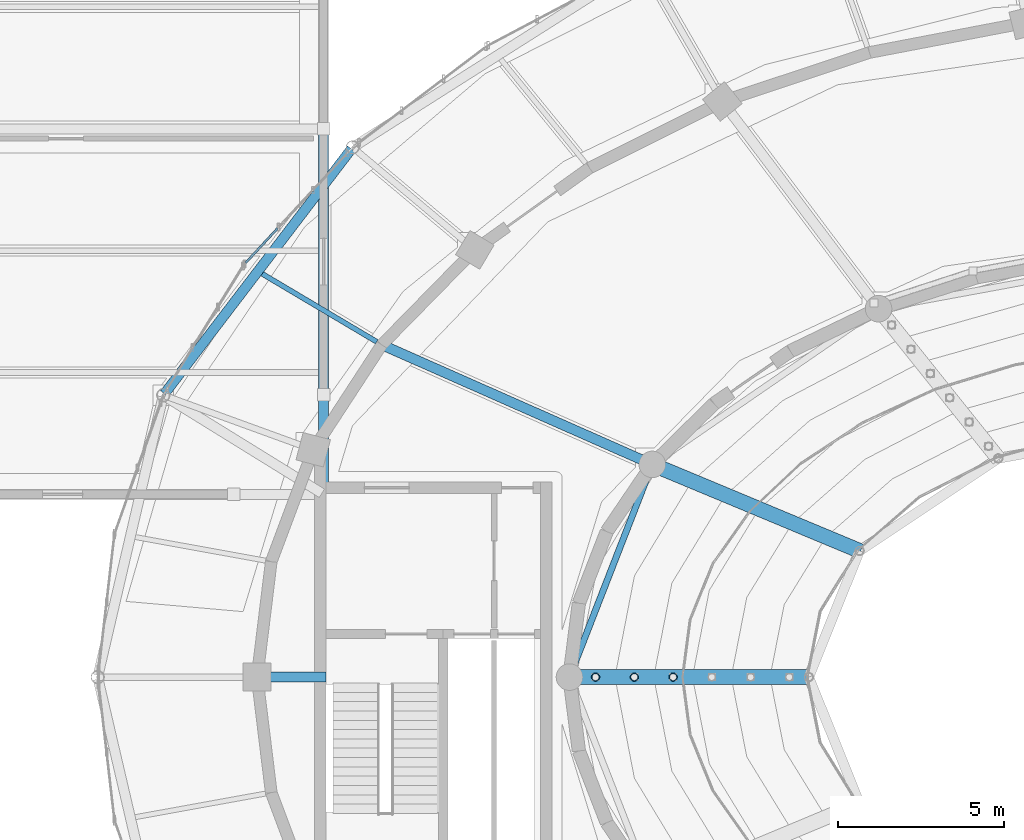
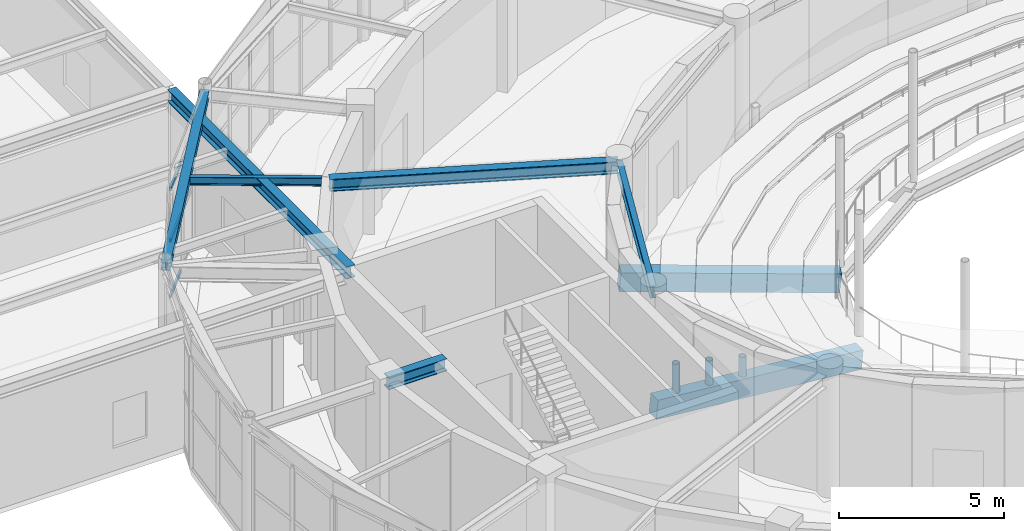
# One storey, part 30 of 100: 8 beams, 6 members, 1 element without a shape of its own.
"""IFC4 building model written with IfcOpenShell, lengths in metres."""

import ifcopenshell
import ifcopenshell.guid

model = None  # the IFC model being written
_history = None  # IfcOwnerHistory: only IFC2X3 demands one
_inside = {}  # id of a spatial element -> (the spatial element, [elements in it])
_under = {}  # id of a project, library or spatial element -> (it, [spatial elements below it])
_declared = {}  # id of a project -> (the project, [libraries it declares])
_typed = {}  # id of a type object -> (the type object, [elements of that type])
_made_of = {}  # id of a material, layer set ... -> (it, [elements and type objects made of it])


def new_model(schema):
    """Start an empty IFC model of exactly this schema.

    Asked for "IFC4X3", IfcOpenShell would pick the latest addendum, in which some entities
    have other attributes; the version numbers below select the first issue.
    IFC2X3 requires an IfcOwnerHistory on every rooted entity: one is made here for all.
    """
    global model, _history
    if schema == "IFC4X3":
        model = ifcopenshell.file(schema_version=(4, 3, 0, 0))
    else:
        model = ifcopenshell.file(schema=schema)
    _inside.clear()
    _under.clear()
    _declared.clear()
    _typed.clear()
    _made_of.clear()
    _history = None
    if model.schema == "IFC2X3":
        org = make("IfcOrganization", Name="unknown")
        user = make(
            "IfcPersonAndOrganization",
            ThePerson=make("IfcPerson", FamilyName="unknown"),
            TheOrganization=org,
        )
        app = make(
            "IfcApplication",
            ApplicationDeveloper=org,
            Version="unknown",
            ApplicationFullName="unknown",
            ApplicationIdentifier="unknown",
        )
        _history = make(
            "IfcOwnerHistory",
            OwningUser=user,
            OwningApplication=app,
            ChangeAction="ADDED",
            CreationDate=0,
        )
    return model


def make(cls, **values):
    """One entity of the class cls with the attributes given. An attribute that is None is left unset."""
    return model.create_entity(
        cls, **{name: value for name, value in values.items() if value is not None}
    )


def rooted(cls, **values):
    """An entity with a GlobalId (a new one), such as an element, a storey or a relation."""
    return make(cls, GlobalId=ifcopenshell.guid.new(), OwnerHistory=_history, **values)


def si_unit(unit_type, name, prefix=None):
    """IfcSIUnit, for example si_unit("LENGTHUNIT", "METRE", prefix="MILLI")."""
    return make("IfcSIUnit", UnitType=unit_type, Prefix=prefix, Name=name)


def assignment(units):
    """IfcUnitAssignment: the units of a project."""
    return None if units is None else make("IfcUnitAssignment", Units=units)


def point(xyz):
    """IfcCartesianPoint."""
    return None if xyz is None else make("IfcCartesianPoint", Coordinates=xyz)


def direction(xyz):
    """IfcDirection."""
    return None if xyz is None else make("IfcDirection", DirectionRatios=xyz)


def frame(location, z_axis=None, x_axis=None):
    """IfcAxis2Placement3D, a coordinate frame: its origin and axes. An axis left out is left unset."""
    return make(
        "IfcAxis2Placement3D",
        Location=point(location),
        Axis=direction(z_axis),
        RefDirection=direction(x_axis),
    )


def frame_2d(location, x_axis=None):
    """IfcAxis2Placement2D, a coordinate frame in the plane: its origin and x axis."""
    return make(
        "IfcAxis2Placement2D", Location=point(location), RefDirection=direction(x_axis)
    )


def origin():
    """The frame at (0, 0, 0) with its axes left unset."""
    return frame((0.0, 0.0, 0.0))


def origin_2d():
    """The frame at (0, 0) in the plane with its x axis left unset."""
    return frame_2d((0.0, 0.0))


def place(relative_to, where):
    """IfcLocalPlacement: puts the frame where relative to a parent placement (None: the world)."""
    return make(
        "IfcLocalPlacement", PlacementRelTo=relative_to, RelativePlacement=where
    )


def context(
    kind, dimensions, precision=None, world=None, true_north=None, identifier=None
):
    """IfcGeometricRepresentationContext, for example the 3D "Model" context."""
    return make(
        "IfcGeometricRepresentationContext",
        ContextIdentifier=identifier,
        ContextType=kind,
        CoordinateSpaceDimension=dimensions,
        Precision=precision,
        WorldCoordinateSystem=world,
        TrueNorth=true_north,
    )


def subcontext(parent, identifier, kind, view, scale=None):
    """IfcGeometricRepresentationSubContext, for example "Body" below "Model"."""
    return make(
        "IfcGeometricRepresentationSubContext",
        ContextIdentifier=identifier,
        ContextType=kind,
        ParentContext=parent,
        TargetScale=scale,
        TargetView=view,
    )


def project(units=None, contexts=None):
    """IfcProject with its units and contexts."""
    return rooted(
        "IfcProject",
        Name="project",
        RepresentationContexts=contexts,
        UnitsInContext=assignment(units),
    )


def spatial(cls, under=None, at=None, **own):
    """A site, building, storey or space (cls), placed at a placement, below another one or the project."""
    s = rooted(cls, ObjectPlacement=at, **own)
    if under is not None:
        _under.setdefault(under.id(), (under, []))[1].append(s)
    return s


def profile(cls, at=None, kind="AREA", **sizes):
    """A parametric profile (cls). Its sizes go by their IFC names, for example OverallWidth=200.0."""
    return make(cls, ProfileType=kind, Position=at, **sizes)


def rectangle(**sizes):
    """IfcRectangleProfileDef."""
    return profile("IfcRectangleProfileDef", **sizes)


def hollow_rectangle(**sizes):
    """IfcRectangleHollowProfileDef."""
    return profile("IfcRectangleHollowProfileDef", **sizes)


def hollow_circle(**sizes):
    """IfcCircleHollowProfileDef."""
    return profile("IfcCircleHollowProfileDef", **sizes)


def i_section(**sizes):
    """IfcIShapeProfileDef."""
    return profile("IfcIShapeProfileDef", **sizes)


def extrude(swept, where, along, depth):
    """IfcExtrudedAreaSolid: the profile swept, set in the frame where, extruded along a direction by depth."""
    return make(
        "IfcExtrudedAreaSolid",
        SweptArea=swept,
        Position=where,
        ExtrudedDirection=direction(along),
        Depth=depth,
    )


def shape(context_of_items, identifier, shape_type, items):
    """IfcShapeRepresentation: the items that make up one representation, for example the "Body"."""
    return make(
        "IfcShapeRepresentation",
        ContextOfItems=context_of_items,
        RepresentationIdentifier=identifier,
        RepresentationType=shape_type,
        Items=items,
    )


def material(Name=None, Category=None):
    """IfcMaterial."""
    return make("IfcMaterial", Name=Name, Category=Category)


def material_profile(
    of_material, cross_section, Name=None, Category=None, Priority=None
):
    """IfcMaterialProfile: a cross section and its material."""
    return make(
        "IfcMaterialProfile",
        Name=Name,
        Material=of_material,
        Profile=cross_section,
        Priority=Priority,
        Category=Category,
    )


def profile_set(profiles, Name=None, composite=None):
    """IfcMaterialProfileSet."""
    return make(
        "IfcMaterialProfileSet",
        Name=Name,
        MaterialProfiles=profiles,
        CompositeProfile=composite,
    )


def made_of(thing, what):
    """Note that an element or type object is made of a material, layer set ...; save() writes the relation."""
    if what is not None:
        _made_of.setdefault(what.id(), (what, []))[1].append(thing)
    return thing


def type_object(cls, material=None, **own):
    """A type object (cls), such as IfcWallType, which elements share."""
    return made_of(rooted(cls, **own), material)


def element(
    cls,
    number,
    at=None,
    inside=None,
    cuts=None,
    type_object=None,
    material=None,
    context=None,
    identifier="Body",
    shape_type=None,
    held_by="IfcProductDefinitionShape",
    body=None,
    shapes=None,
    **own,
):
    """One element of the class cls, such as IfcWall. Its Tag is "e" and its number.

    at: its placement. inside: the storey or other place that contains it. cuts: it is an
    opening in that element (IfcRelVoidsElement). A single representation is given by context,
    identifier, shape_type and body (its items); several are given by shapes. held_by: the class
    of the entity that holds the representations. save() writes the other relations.
    """
    e = rooted(cls, Tag="e%d" % number, ObjectPlacement=at, **own)
    if body is not None:
        shapes = [shape(context, identifier, shape_type, body)]
    if shapes is not None:
        e.Representation = make(held_by, Representations=shapes)
    if inside is not None:
        _inside.setdefault(inside.id(), (inside, []))[1].append(e)
    if cuts is not None:
        rooted(
            "IfcRelVoidsElement", RelatingBuildingElement=cuts, RelatedOpeningElement=e
        )
    if type_object is not None:
        _typed.setdefault(type_object.id(), (type_object, []))[1].append(e)
    return made_of(e, material)


def aggregate(whole, parts):
    """IfcRelAggregates: a whole, such as a stair, and the parts it consists of."""
    return rooted("IfcRelAggregates", RelatingObject=whole, RelatedObjects=parts)


def save(model, path):
    """Write the relations noted so far, then the file.

    IfcRelAggregates (storeys below a building ...), IfcRelContainedInSpatialStructure (elements
    in a storey), IfcRelDefinesByType, IfcRelAssociatesMaterial and IfcRelDeclares: one each for
    every whole, place, type object, material and project.
    """
    for whole, parts in _under.values():
        aggregate(whole, parts)
    for where, things in _inside.values():
        rooted(
            "IfcRelContainedInSpatialStructure",
            RelatedElements=things,
            RelatingStructure=where,
        )
    for kind, things in _typed.values():
        rooted("IfcRelDefinesByType", RelatedObjects=things, RelatingType=kind)
    for what, things in _made_of.values():
        rooted("IfcRelAssociatesMaterial", RelatedObjects=things, RelatingMaterial=what)
    for by, libraries in _declared.values():
        rooted("IfcRelDeclares", RelatingContext=by, RelatedDefinitions=libraries)
    model.write(path)


model = new_model("IFC4")

# Units and contexts
model_context = context("Model", 3, precision=1e-05, world=origin(), true_north=direction((0.0, 1.0)))
body_context = subcontext(model_context, "Body", "Model", "MODEL_VIEW")
ifc_project = project(units=[si_unit("LENGTHUNIT", "METRE"), si_unit("AREAUNIT", "SQUARE_METRE"), si_unit("VOLUMEUNIT", "CUBIC_METRE"), si_unit("PLANEANGLEUNIT", "RADIAN"), si_unit("MASSUNIT", "GRAM", prefix="KILO")], contexts=[model_context])

# Site, building, storey
site_placement = place(None, origin())
site = spatial("IfcSite", under=ifc_project, at=site_placement, CompositionType="ELEMENT")
building_placement = place(site_placement, origin())
building = spatial("IfcBuilding", under=site, at=building_placement, Name="Tarnveldt Headland Concert Hall", CompositionType="ELEMENT")
storey_placement = place(building_placement, frame((0.0, 0.0, 4.800048828125)))
storey = spatial("IfcBuildingStorey", under=building, at=storey_placement, Name="L01", CompositionType="ELEMENT", Elevation=4.800048828125)

# Beams
ifc_material_1 = material(Name="Concrete C40/50", Category="concrete")
ifc_material_profile_1 = material_profile(ifc_material_1, rectangle(XDim=0.449951171875, YDim=0.699951171875, at=origin_2d()), Name="RAKER RC 450x700", Category="concrete")
ifc_profile_set_1 = profile_set([ifc_material_profile_1], Name="Concrete C40/50")
beam_type_1 = type_object("IfcBeamType", Name="RK-450x700", PredefinedType="BEAM", material=ifc_profile_set_1)
beam_1_placement = place(storey_placement, frame((67.391845703125, 60.89990234375, 0.119873046875), z_axis=(0.918674552277, -0.383044843665, -0.096507589027), x_axis=(0.384841186622, 0.922982806492, 0.0)))
element("IfcBeam", 1, at=beam_1_placement, inside=storey, type_object=beam_type_1, Name="Stand RAKER beam L01-6", PredefinedType="BEAM", context=body_context, shape_type="SweptSolid", body=[
    extrude(rectangle(XDim=0.449951171875, YDim=0.699951171875, at=origin_2d()), origin(), (0.0, 0.0, 1.0), 6.787353515625),
])
beam_2_placement = place(storey_placement, frame((64.89990234375, 54.5, 0.119873046875), z_axis=(0.995887391882, 0.0, -0.090599683725), x_axis=(0.0, 1.0, 0.0)))
element("IfcBeam", 2, at=beam_2_placement, inside=storey, type_object=beam_type_1, Name="Stand RAKER beam L01-7", PredefinedType="BEAM", context=body_context, shape_type="SweptSolid", body=[
    extrude(rectangle(XDim=0.449951171875, YDim=0.699951171875, at=origin_2d()), origin(), (0.0, 0.0, 1.0), 7.22998046875),
])
ifc_material_2 = material(Name="Steel S355", Category="steel")
ifc_material_profile_2 = material_profile(ifc_material_2, i_section(OverallWidth=0.300048828125, OverallDepth=0.2900390625, WebThickness=0.008544921875, FlangeThickness=0.013916015625, FilletRadius=0.027099609375, at=origin_2d()), Name="HEA300", Category="steel")
ifc_profile_set_2 = profile_set([ifc_material_profile_2], Name="Steel S355")
beam_type_2 = type_object("IfcBeamType", Name="SB-HEA300", PredefinedType="SPANDREL", material=ifc_profile_set_2)
beam_3_placement = place(storey_placement, frame((58.33740234375, 70.393310546875, 4.39501953125), z_axis=(-0.606896353007, -0.794780986629, 0.0), x_axis=(0.794780986629, -0.606896353007, 0.0)))
element("IfcBeam", 3, at=beam_3_placement, inside=storey, type_object=beam_type_2, Name="Framing beam L01-699", PredefinedType="SPANDREL", context=body_context, shape_type="SweptSolid", body=[
    extrude(i_section(OverallWidth=0.300048828125, OverallDepth=0.2900390625, WebThickness=0.008544921875, FlangeThickness=0.013916015625, FilletRadius=0.027099609375, at=origin_2d()), origin(), (0.0, 0.0, 1.0), 9.264892578125),
])
ifc_material_profile_3 = material_profile(ifc_material_2, i_section(OverallWidth=0.300048828125, OverallDepth=0.449951171875, WebThickness=0.013916015625, FlangeThickness=0.02587890625, FilletRadius=0.027099609375, at=origin_2d()), Name="HEB450", Category="steel")
ifc_profile_set_3 = profile_set([ifc_material_profile_3], Name="Steel S355")
beam_type_3 = type_object("IfcBeamType", Name="SB-HEB450", PredefinedType="BEAM", material=ifc_profile_set_3)
beam_4_placement = place(storey_placement, frame((67.355224609375, 60.916259765625, 4.31494140625), z_axis=(-0.91456211397, 0.404445471839, 0.0), x_axis=(-0.404445471839, -0.91456211397, 0.0)))
element("IfcBeam", 4, at=beam_4_placement, inside=storey, type_object=beam_type_3, Name="Framing beam L01-742", PredefinedType="BEAM", context=body_context, shape_type="SweptSolid", body=[
    extrude(i_section(OverallWidth=0.300048828125, OverallDepth=0.449951171875, WebThickness=0.013916015625, FlangeThickness=0.02587890625, FilletRadius=0.027099609375, at=origin_2d()), origin(), (0.0, 0.0, 1.0), 8.821044921875),
])
beam_5_placement = place(storey_placement, frame((57.580078125, 54.5, 4.31494140625), z_axis=(-1.0, 0.0, 0.0), x_axis=(0.0, -1.0, 0.0)))
element("IfcBeam", 5, at=beam_5_placement, inside=storey, type_object=beam_type_3, Name="Framing beam L01-744", PredefinedType="BEAM", context=body_context, shape_type="SweptSolid", body=[
    extrude(i_section(OverallWidth=0.300048828125, OverallDepth=0.449951171875, WebThickness=0.013916015625, FlangeThickness=0.02587890625, FilletRadius=0.027099609375, at=origin_2d()), origin(), (0.0, 0.0, 1.0), 2.0400390625),
])
beam_6_placement = place(storey_placement, frame((57.5, 60.06005859375, 4.31494140625), z_axis=(0.0, 1.0, 0.0), x_axis=(-1.0, 0.0, 0.0)))
element("IfcBeam", 6, at=beam_6_placement, inside=storey, type_object=beam_type_3, Name="Framing beam L01-989", PredefinedType="BEAM", context=body_context, shape_type="SweptSolid", body=[
    extrude(i_section(OverallWidth=0.300048828125, OverallDepth=0.449951171875, WebThickness=0.013916015625, FlangeThickness=0.02587890625, FilletRadius=0.027099609375, at=origin_2d()), origin(), (0.0, 0.0, 1.0), 10.8798828125),
])
ifc_material_profile_4 = material_profile(ifc_material_2, i_section(OverallWidth=0.14990234375, OverallDepth=0.300048828125, WebThickness=0.007080078125, FlangeThickness=0.0107421875, FilletRadius=0.014892578125, at=origin_2d()), Name="IPE300", Category="steel")
ifc_profile_set_4 = profile_set([ifc_material_profile_4], Name="Steel S355")
beam_type_4 = type_object("IfcBeamType", Name="SB-IPE300", PredefinedType="JOIST", material=ifc_profile_set_4)
beam_7_placement = place(storey_placement, frame((59.100830078125, 64.58935546875, 4.389892578125), z_axis=(-0.859902377377, 0.510458520726, 0.0), x_axis=(-0.510458520726, -0.859902377377, 0.0)))
element("IfcBeam", 7, at=beam_7_placement, inside=storey, type_object=beam_type_4, Name="Framing beam L01-701", PredefinedType="JOIST", context=body_context, shape_type="SweptSolid", body=[
    extrude(i_section(OverallWidth=0.14990234375, OverallDepth=0.300048828125, WebThickness=0.007080078125, FlangeThickness=0.0107421875, FilletRadius=0.014892578125, at=origin_2d()), origin(), (0.0, 0.0, 1.0), 4.007568359375),
])
ifc_material_profile_5 = material_profile(ifc_material_2, i_section(OverallWidth=0.18994140625, OverallDepth=0.449951171875, WebThickness=0.009521484375, FlangeThickness=0.0146484375, FilletRadius=0.02099609375, at=origin_2d()), Name="IPE450", Category="steel")
ifc_profile_set_5 = profile_set([ifc_material_profile_5], Name="Steel S355")
beam_type_5 = type_object("IfcBeamType", Name="SB-IPE450", PredefinedType="BEAM", material=ifc_profile_set_5)
beam_8_placement = place(storey_placement, frame((67.3701171875, 60.843994140625, 4.31494140625), z_axis=(-0.362816377746, -0.931860652694, 0.0), x_axis=(0.931860652694, -0.362816377746, 0.0)))
element("IfcBeam", 8, at=beam_8_placement, inside=storey, type_object=beam_type_5, Name="Framing beam L01-743", PredefinedType="BEAM", context=body_context, shape_type="SweptSolid", body=[
    extrude(i_section(OverallWidth=0.18994140625, OverallDepth=0.449951171875, WebThickness=0.009521484375, FlangeThickness=0.0146484375, FilletRadius=0.02099609375, at=origin_2d()), origin(), (0.0, 0.0, 1.0), 6.747802734375),
])

# Curtain wall, members
ifc_material_3 = material(Name="Marine-anodised aluminium EN AW-6063-T6", Category="aluminium")
curtain_wall_type = type_object("IfcCurtainWallType", Name="CW-F2", PredefinedType="NOTDEFINED", material=ifc_material_3)
curtain_wall_placement = place(storey_placement, origin())
curtain_wall = element("IfcCurtainWall", 9, at=curtain_wall_placement, inside=storey, type_object=curtain_wall_type, Name="Curtain wall CW-L01-041", PredefinedType="NOTDEFINED")
ifc_material_profile_6 = material_profile(ifc_material_3, hollow_rectangle(XDim=0.06494140625, YDim=0.139892578125, WallThickness=0.00390625, at=origin_2d()), Name="ALU TRANSOM 65x140x4", Category="aluminium")
ifc_profile_set_6 = profile_set([ifc_material_profile_6], Name="Marine-anodised aluminium EN AW-6063-T6")
member_type_1 = type_object("IfcMemberType", Name="TR-140", PredefinedType="MEMBER", material=ifc_profile_set_6)
member_1_placement = place(storey_placement, frame((56.116943359375, 68.004150390625, 0.050048828125), z_axis=(-0.679418349957, -0.733751119755, 0.0), x_axis=(0.733751119755, -0.679418349957, 0.0)))
member_1 = element("IfcMember", 10, at=member_1_placement, type_object=member_type_1, Name="Transom CW-L01-041-3-1", PredefinedType="MEMBER", context=body_context, shape_type="SweptSolid", body=[
    extrude(hollow_rectangle(XDim=0.06494140625, YDim=0.139892578125, WallThickness=0.00390625, at=origin_2d()), origin(), (0.0, 0.0, 1.0), 1.41552734375),
])
member_2_placement = place(storey_placement, frame((56.116943359375, 68.004150390625, 2.12060546875), z_axis=(-0.679418349957, -0.733751119755, 0.0), x_axis=(0.733751119755, -0.679418349957, 0.0)))
member_2 = element("IfcMember", 11, at=member_2_placement, type_object=member_type_1, Name="Transom CW-L01-041-3-2", PredefinedType="MEMBER", context=body_context, shape_type="SweptSolid", body=[
    extrude(hollow_rectangle(XDim=0.06494140625, YDim=0.139892578125, WallThickness=0.00390625, at=origin_2d()), origin(), (0.0, 0.0, 1.0), 1.41552734375),
])
member_3_placement = place(storey_placement, frame((56.116943359375, 68.004150390625, 4.02783203125), z_axis=(-0.679418349957, -0.733751119755, 0.0), x_axis=(0.733751119755, -0.679418349957, 0.0)))
member_3 = element("IfcMember", 12, at=member_3_placement, type_object=member_type_1, Name="Transom CW-L01-041-3-3", PredefinedType="MEMBER", context=body_context, shape_type="SweptSolid", body=[
    extrude(hollow_rectangle(XDim=0.06494140625, YDim=0.139892578125, WallThickness=0.00390625, at=origin_2d()), origin(), (0.0, 0.0, 1.0), 1.41552734375),
])
aggregate(curtain_wall, [member_1, member_2, member_3])

# Members
ifc_material_profile_7 = material_profile(ifc_material_2, hollow_circle(Radius=0.122314453125, WallThickness=0.01611328125, at=origin_2d()), Name="CHS 244.5x16", Category="steel")
ifc_profile_set_7 = profile_set([ifc_material_profile_7], Name="Steel S355")
member_type_2 = type_object("IfcMemberType", Name="TR-CHORD244", PredefinedType="POST", material=ifc_profile_set_7)
member_4_placement = place(storey_placement, frame((68.0166015625, 54.5, -0.16357421875), z_axis=(0.0, 0.0, 1.0), x_axis=(1.0, 0.0, 0.0)))
element("IfcMember", 13, at=member_4_placement, inside=storey, type_object=member_type_2, Name="Vineyard tier raker stool post L01-4-7", PredefinedType="POST", context=body_context, shape_type="SweptSolid", body=[
    extrude(hollow_circle(Radius=0.122314453125, WallThickness=0.01611328125, at=origin_2d()), origin(), (0.0, 0.0, 1.0), 1.07861328125),
])
member_5_placement = place(storey_placement, frame((66.85009765625, 54.5, -0.057373046875), z_axis=(0.0, 0.0, 1.0), x_axis=(1.0, 0.0, 0.0)))
element("IfcMember", 14, at=member_5_placement, inside=storey, type_object=member_type_2, Name="Vineyard tier raker stool post L01-5-7", PredefinedType="POST", context=body_context, shape_type="SweptSolid", body=[
    extrude(hollow_circle(Radius=0.122314453125, WallThickness=0.01611328125, at=origin_2d()), origin(), (0.0, 0.0, 1.0), 1.25244140625),
])
member_6_placement = place(storey_placement, frame((65.683349609375, 54.5, 0.048583984375), z_axis=(0.0, 0.0, 1.0), x_axis=(1.0, 0.0, 0.0)))
element("IfcMember", 15, at=member_6_placement, inside=storey, type_object=member_type_2, Name="Vineyard tier raker stool post L01-6-7", PredefinedType="POST", context=body_context, shape_type="SweptSolid", body=[
    extrude(hollow_circle(Radius=0.122314453125, WallThickness=0.01611328125, at=origin_2d()), origin(), (0.0, 0.0, 1.0), 1.42626953125),
])

save(model, "model.ifc")
